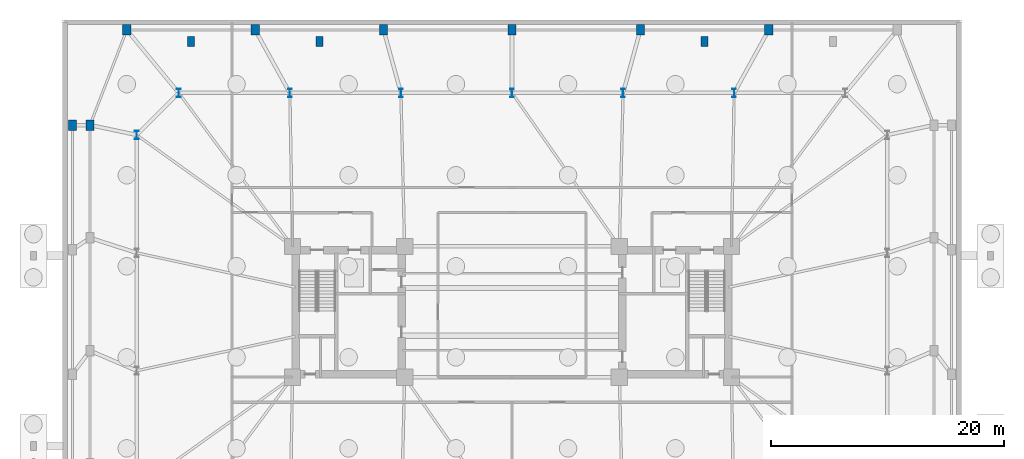
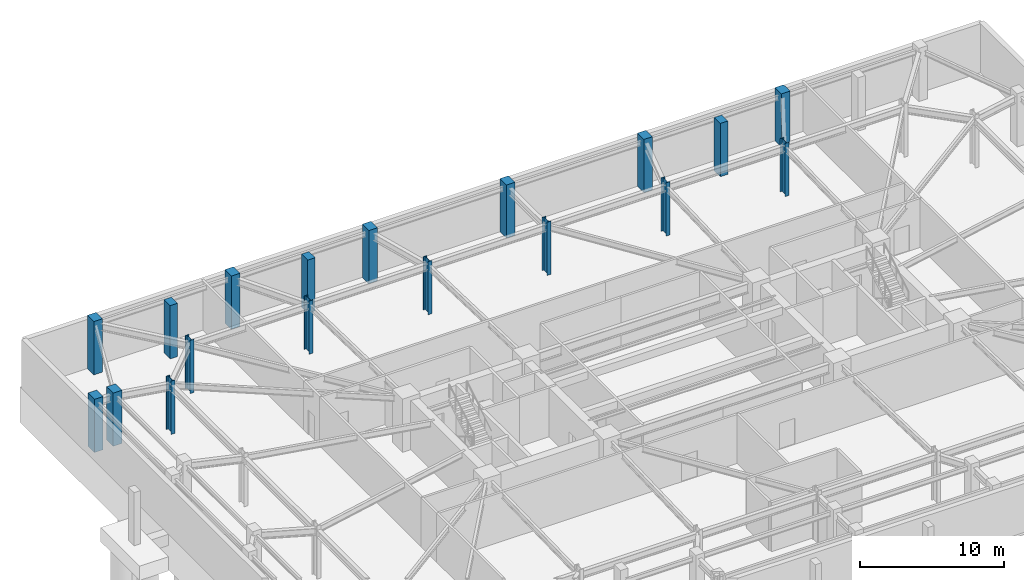
# One storey, part 4 of 15: 18 columns.
"""IFC4 building model written with IfcOpenShell, lengths in metres."""

from ifc_helpers import new_model, si_unit, direction, frame, origin, origin_2d, place, context, subcontext, project, spatial, rectangle, i_section, extrude, material, material_profile, profile_set, type_object, element, save


model = new_model("IFC4")

# Units and contexts
model_context = context("Model", 3, precision=1e-05, world=origin(), true_north=direction((0.0, 1.0)))
body_context = subcontext(model_context, "Body", "Model", "MODEL_VIEW")
ifc_project = project(units=[si_unit("LENGTHUNIT", "METRE"), si_unit("AREAUNIT", "SQUARE_METRE"), si_unit("VOLUMEUNIT", "CUBIC_METRE"), si_unit("PLANEANGLEUNIT", "RADIAN"), si_unit("MASSUNIT", "GRAM", prefix="KILO")], contexts=[model_context])

# Site, building, storey
site_placement = place(None, origin())
site = spatial("IfcSite", under=ifc_project, at=site_placement, CompositionType="ELEMENT")
building_placement = place(site_placement, origin())
building = spatial("IfcBuilding", under=site, at=building_placement, Name="Qobustan Lattice House", CompositionType="ELEMENT")
storey_placement = place(building_placement, frame((0.0, 0.0, -9.0)))
storey = spatial("IfcBuildingStorey", under=building, at=storey_placement, Name="B02", CompositionType="ELEMENT", Elevation=-9.0)

# Columns
ifc_material_1 = material(Name="Concrete C50/60", Category="concrete")
ifc_material_profile_1 = material_profile(ifc_material_1, rectangle(XDim=0.60009765625, YDim=0.85009765625, at=origin_2d()), Name="RC600x850")
ifc_profile_set_1 = profile_set([ifc_material_profile_1], Name="Concrete C50/60")
column_type_1 = type_object("IfcColumnType", Name="COL-PIL-600x850", PredefinedType="PILASTER", material=ifc_profile_set_1)
for number, where, z_axis, x_axis, name in (
    (1, (-27.5, 23.14990234375, 0.0), (0.0, 0.0, 1.0), (1.0, 0.0, 0.0), "B02 colonnade pilaster N1"),
    (2, (-16.5, 23.14990234375, 0.0), (0.0, 0.0, 1.0), (1.0, 0.0, 0.0), "B02 colonnade pilaster N2"),
    (3, (16.5, 23.14990234375, 0.0), (0.0, 0.0, 1.0), (1.0, 0.0, 0.0), "B02 colonnade pilaster N3"),
):
    element("IfcColumn", number, at=place(storey_placement, frame(where, z_axis=z_axis, x_axis=x_axis)), inside=storey, type_object=column_type_1, Name=name, PredefinedType="PILASTER", context=body_context, shape_type="SweptSolid", body=[
        extrude(rectangle(XDim=0.60009765625, YDim=0.85009765625, at=origin_2d()), origin(), (0.0, 0.0, 1.0), 4.5),
    ])
ifc_material_2 = material(Name="Concrete C50/60", Category="concrete")
ifc_material_profile_2 = material_profile(ifc_material_2, rectangle(XDim=0.699951171875, YDim=0.89990234375, at=origin_2d()), Name="RC700x900")
ifc_profile_set_2 = profile_set([ifc_material_profile_2], Name="Concrete C50/60")
column_type_2 = type_object("IfcColumnType", Name="COL-RC-700x900", PredefinedType="COLUMN", material=ifc_profile_set_2)
for number, where, z_axis, x_axis, name in (
    (4, (-33.0, 24.14990234375, 0.0), (0.0, 0.0, 1.0), (1.0, 0.0, 0.0), "B02 podium column PN1"),
    (5, (-22.0, 24.14990234375, 0.0), (0.0, 0.0, 1.0), (1.0, 0.0, 0.0), "B02 podium column PN2"),
    (6, (-11.0, 24.14990234375, 0.0), (0.0, 0.0, 1.0), (1.0, 0.0, 0.0), "B02 podium column PN3"),
    (7, (0.0, 24.14990234375, 0.0), (0.0, 0.0, 1.0), (1.0, 0.0, 0.0), "B02 podium column PN4"),
    (8, (11.0, 24.14990234375, 0.0), (0.0, 0.0, 1.0), (1.0, 0.0, 0.0), "B02 podium column PN5"),
    (9, (22.0, 24.14990234375, 0.0), (0.0, 0.0, 1.0), (1.0, 0.0, 0.0), "B02 podium column PN6"),
    (10, (-36.14990234375, 16.0, 0.0), (0.0, 0.0, 1.0), (1.0, 0.0, 0.0), "B02 podium column PW4"),
    (11, (-37.64990234375, 16.0, 0.0), (0.0, 0.0, 1.0), (1.0, 0.0, 0.0), "B02 lower podium perimeter column PWL4"),
):
    element("IfcColumn", number, at=place(storey_placement, frame(where, z_axis=z_axis, x_axis=x_axis)), inside=storey, type_object=column_type_2, Name=name, PredefinedType="COLUMN", context=body_context, shape_type="SweptSolid", body=[
        extrude(rectangle(XDim=0.699951171875, YDim=0.89990234375, at=origin_2d()), origin(), (0.0, 0.0, 1.0), 4.5),
    ])
ifc_material_3 = material(Name="Steel S460", Category="steel")
ifc_material_profile_3 = material_profile(ifc_material_3, i_section(OverallWidth=0.303955078125, OverallDepth=0.716064453125, WebThickness=0.02099609375, FlangeThickness=0.0400390625, FilletRadius=0.027099609375, at=origin_2d()), Name="HEM700")
ifc_profile_set_3 = profile_set([ifc_material_profile_3], Name="Steel S460")
column_type_3 = type_object("IfcColumnType", Name="COL-ST-HEM700", PredefinedType="COLUMN", material=ifc_profile_set_3)
for number, where, z_axis, x_axis, name in (
    (12, (19.033203125, 18.75, 0.0), (0.0, 0.0, 1.0), (1.0, 0.0, 0.0), "B02 tower base column N2"),
    (13, (9.5166015625, 18.75, 0.0), (0.0, 0.0, 1.0), (1.0, 0.0, 0.0), "B02 tower base column N3"),
    (14, (0.0, 18.75, 0.0), (0.0, 0.0, 1.0), (1.0, 0.0, 0.0), "B02 tower base column N4"),
    (15, (-9.5166015625, 18.75, 0.0), (0.0, 0.0, 1.0), (1.0, 0.0, 0.0), "B02 tower base column N5"),
    (16, (-19.033203125, 18.75, 0.0), (0.0, 0.0, 1.0), (1.0, 0.0, 0.0), "B02 tower base column N6"),
    (17, (-28.550048828125, 18.75, 0.0), (0.0, 0.0, 1.0), (1.0, 0.0, 0.0), "B02 tower base column N7"),
    (18, (-32.14990234375, 15.14990234375, 0.0), (0.0, 0.0, 1.0), (1.0, 0.0, 0.0), "B02 tower base column W1"),
):
    element("IfcColumn", number, at=place(storey_placement, frame(where, z_axis=z_axis, x_axis=x_axis)), inside=storey, type_object=column_type_3, Name=name, PredefinedType="COLUMN", context=body_context, shape_type="SweptSolid", body=[
        extrude(i_section(OverallWidth=0.303955078125, OverallDepth=0.716064453125, WebThickness=0.02099609375, FlangeThickness=0.0400390625, FilletRadius=0.027099609375, at=origin_2d()), origin(), (0.0, 0.0, 1.0), 4.5),
    ])

save(model, "model.ifc")
